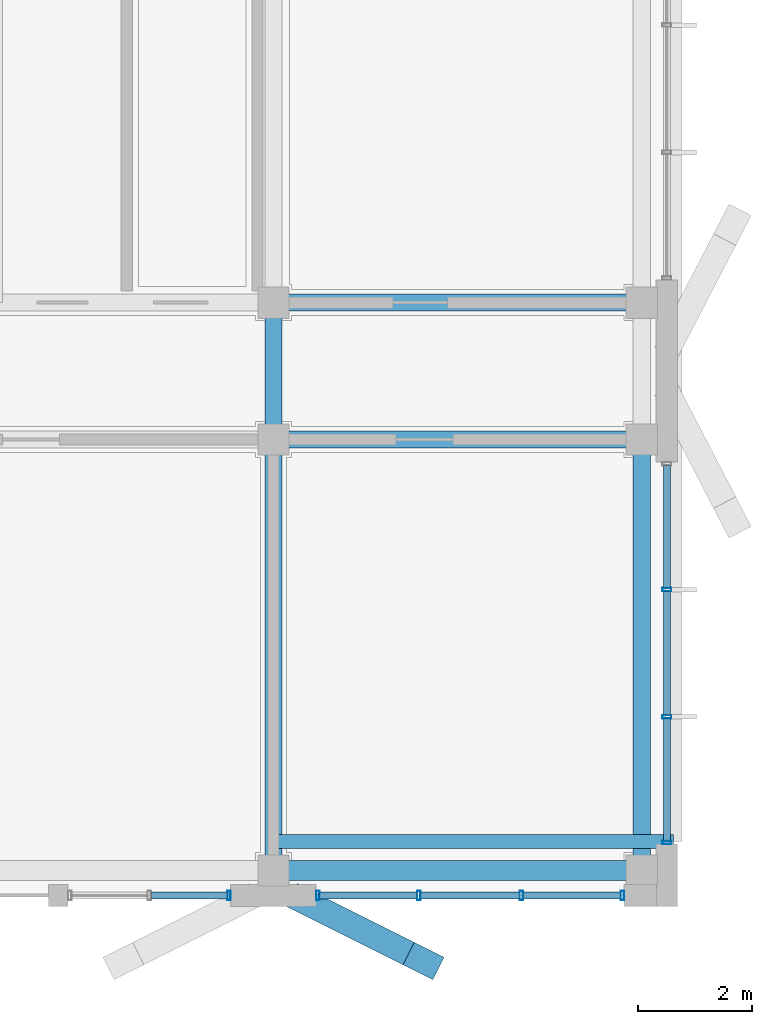
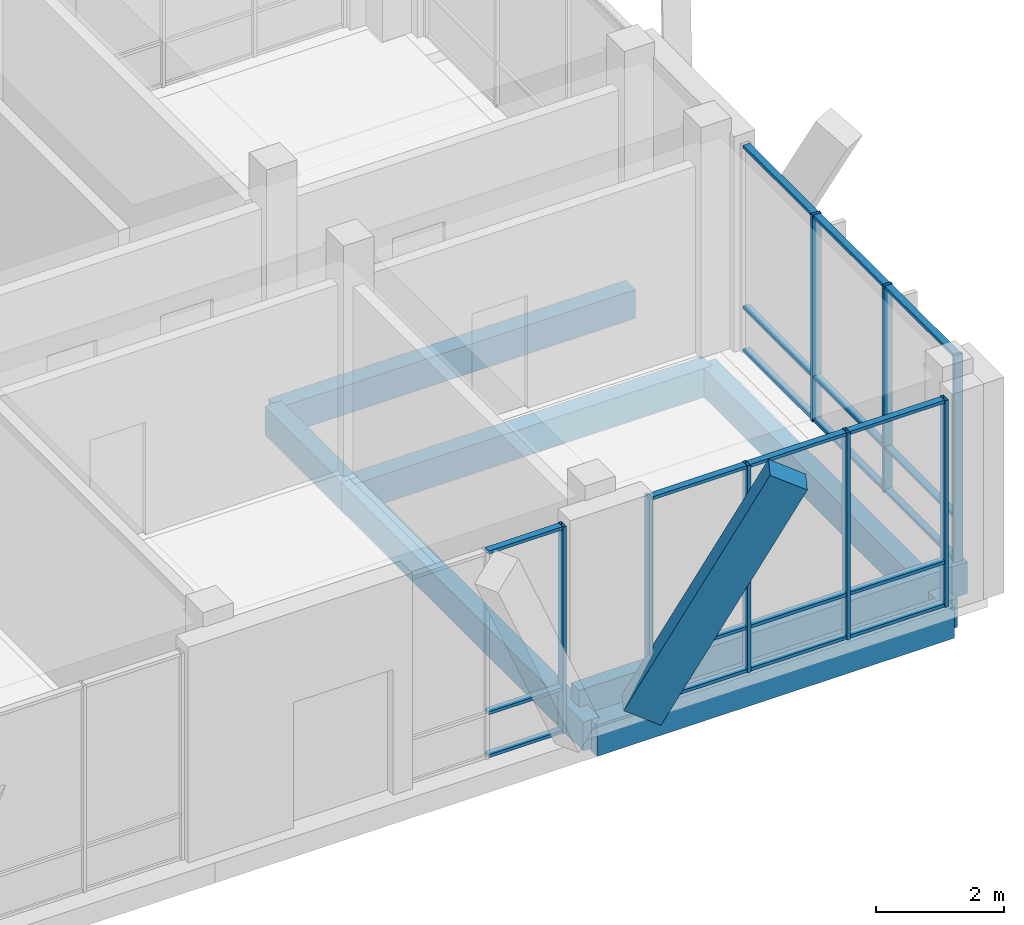
# One storey, part 144 of 233: 30 members, 7 beams, 3 elements without a shape of their own.
"""IFC4 building model written with IfcOpenShell, lengths in metres."""

from ifc_helpers import new_model, si_unit, direction, frame, origin, origin_2d, place, context, subcontext, project, spatial, rectangle, hollow_rectangle, extrude, material, material_profile, profile_set, type_object, element, aggregate, save


model = new_model("IFC4")

# Units and contexts
model_context = context("Model", 3, precision=1e-05, world=origin(), true_north=direction((0.0, 1.0)))
body_context = subcontext(model_context, "Body", "Model", "MODEL_VIEW")
ifc_project = project(units=[si_unit("LENGTHUNIT", "METRE"), si_unit("AREAUNIT", "SQUARE_METRE"), si_unit("VOLUMEUNIT", "CUBIC_METRE"), si_unit("PLANEANGLEUNIT", "RADIAN"), si_unit("MASSUNIT", "GRAM", prefix="KILO")], contexts=[model_context])

# Site, building, storey
site_placement = place(None, origin())
site = spatial("IfcSite", under=ifc_project, at=site_placement, CompositionType="ELEMENT")
building_placement = place(site_placement, origin())
building = spatial("IfcBuilding", under=site, at=building_placement, Name="Zavelmont Quarter", CompositionType="ELEMENT")
storey_placement = place(building_placement, origin())
storey = spatial("IfcBuildingStorey", under=building, at=storey_placement, Name="L00", CompositionType="ELEMENT", Elevation=0.0)

# Beams
ifc_material_1 = material(Name="Concrete C35/45", Category="concrete")
ifc_material_profile_1 = material_profile(ifc_material_1, rectangle(XDim=0.35009765625, YDim=0.60009765625, at=origin_2d()), Name="RC350X600")
ifc_profile_set_1 = profile_set([ifc_material_profile_1], Name="Concrete C35/45")
beam_type_1 = type_object("IfcBeamType", Name="BM01", PredefinedType="SPANDREL", material=ifc_profile_set_1)
beam_1_placement = place(storey_placement, frame((161.10009765625, 0.43994140625, -0.6201171875), z_axis=(1.0, 0.0, 0.0), x_axis=(0.0, 1.0, 0.0)))
element("IfcBeam", 1, at=beam_1_placement, inside=storey, type_object=beam_type_1, Name="L00 beam BM01 24/A to 25/A", PredefinedType="SPANDREL", context=body_context, shape_type="SweptSolid", body=[
    extrude(rectangle(XDim=0.35009765625, YDim=0.60009765625, at=origin_2d()), origin(), (0.0, 0.0, 1.0), 6.4599609375),
])
ifc_material_profile_2 = material_profile(ifc_material_1, rectangle(XDim=0.300048828125, YDim=0.550048828125, at=origin_2d()), Name="RC300X550")
ifc_profile_set_2 = profile_set([ifc_material_profile_2], Name="Concrete C35/45")
beam_type_2 = type_object("IfcBeamType", Name="BM02", PredefinedType="SPANDREL", material=ifc_profile_set_2)
for number, where, z_axis, x_axis, name in (
    (2, (161.10009765625, 8.0, -0.594970703125), (1.0, 0.0, 0.0), (0.0, 1.0, 0.0), "L00 beam BM02 24/B to 25/B"),
    (3, (161.10009765625, 10.39990234375, -0.594970703125), (1.0, 0.0, 0.0), (0.0, 1.0, 0.0), "L00 beam BM02 24/C to 25/C"),
):
    element("IfcBeam", number, at=place(storey_placement, frame(where, z_axis=z_axis, x_axis=x_axis)), inside=storey, type_object=beam_type_2, Name=name, PredefinedType="SPANDREL", context=body_context, shape_type="SweptSolid", body=[
        extrude(rectangle(XDim=0.300048828125, YDim=0.550048828125, at=origin_2d()), origin(), (0.0, 0.0, 1.0), 6.4599609375),
    ])
beam_2_placement = place(storey_placement, frame((161.10009765625, 0.43994140625, -0.594970703125), z_axis=(0.0, 1.0, 0.0), x_axis=(-1.0, 0.0, 0.0)))
element("IfcBeam", 4, at=beam_2_placement, inside=storey, type_object=beam_type_2, Name="L00 beam BM02 24/A to 24/B", PredefinedType="SPANDREL", context=body_context, shape_type="SweptSolid", body=[
    extrude(rectangle(XDim=0.300048828125, YDim=0.550048828125, at=origin_2d()), origin(), (0.0, 0.0, 1.0), 7.56005859375),
])
beam_3_placement = place(storey_placement, frame((161.10009765625, 8.0, -0.594970703125), z_axis=(0.0, 1.0, 0.0), x_axis=(-1.0, 0.0, 0.0)))
element("IfcBeam", 5, at=beam_3_placement, inside=storey, type_object=beam_type_2, Name="L00 beam BM02 24/B to 24/C", PredefinedType="SPANDREL", context=body_context, shape_type="SweptSolid", body=[
    extrude(rectangle(XDim=0.300048828125, YDim=0.550048828125, at=origin_2d()), origin(), (0.0, 0.0, 1.0), 2.39990234375),
])
beam_4_placement = place(storey_placement, frame((167.56005859375, 0.43994140625, -0.594970703125), z_axis=(0.0, 1.0, 0.0), x_axis=(-1.0, 0.0, 0.0)))
element("IfcBeam", 6, at=beam_4_placement, inside=storey, type_object=beam_type_2, Name="L00 beam BM02 25/A to 25/B", PredefinedType="SPANDREL", context=body_context, shape_type="SweptSolid", body=[
    extrude(rectangle(XDim=0.300048828125, YDim=0.550048828125, at=origin_2d()), origin(), (0.0, 0.0, 1.0), 7.56005859375),
])
ifc_material_2 = material(Name="Concrete C40/50", Category="concrete")
ifc_material_profile_3 = material_profile(ifc_material_2, rectangle(XDim=0.25, YDim=0.60009765625, at=origin_2d()), Name="RC250X600")
ifc_profile_set_3 = profile_set([ifc_material_profile_3], Name="Concrete C40/50")
beam_type_3 = type_object("IfcBeamType", Name="BM18", PredefinedType="BEAM", material=ifc_profile_set_3)
beam_5_placement = place(storey_placement, frame((161.10009765625, 0.949951171875, -0.300048828125), z_axis=(1.0, 0.0, 0.0), x_axis=(0.0, 1.0, 0.0)))
element("IfcBeam", 7, at=beam_5_placement, inside=storey, type_object=beam_type_3, Name="L00 beam BM18 24/A to 25/A", PredefinedType="BEAM", context=body_context, shape_type="SweptSolid", body=[
    extrude(rectangle(XDim=0.25, YDim=0.60009765625, at=origin_2d()), origin(), (0.0, 0.0, 1.0), 7.02001953125),
])

# Curtain wall, member
ifc_material_3 = material(Name="Thermally broken aluminium and double low-E safety glazing", Category="aluminium")
curtain_wall_type_1 = type_object("IfcCurtainWallType", Name="CW-285X395", PredefinedType="NOTDEFINED", material=ifc_material_3)
curtain_wall_1_placement = place(storey_placement, origin())
curtain_wall_1 = element("IfcCurtainWall", 8, at=curtain_wall_1_placement, inside=storey, type_object=curtain_wall_type_1, Name="L00 unitised curtain wall CW-285X395", PredefinedType="NOTDEFINED")
ifc_material_4 = material(Name="Powder-coated aluminium EN AW-6063-T6", Category="aluminium")
ifc_material_profile_4 = material_profile(ifc_material_4, hollow_rectangle(XDim=0.06005859375, YDim=0.159912109375, WallThickness=0.00390625, at=origin_2d()), Name="CWM60X160")
ifc_profile_set_4 = profile_set([ifc_material_profile_4], Name="Powder-coated aluminium EN AW-6063-T6")
member_type_1 = type_object("IfcMemberType", Name="CWM01", PredefinedType="MULLION", material=ifc_profile_set_4)
member_1_placement = place(storey_placement, frame((160.320068359375, 0.0, 0.0), z_axis=(0.0, 0.0, 1.0), x_axis=(1.0, 0.0, 0.0)))
member_1 = element("IfcMember", 9, at=member_1_placement, type_object=member_type_1, Name="CW-285X395 mullion 3", PredefinedType="MULLION", context=body_context, shape_type="SweptSolid", body=[
    extrude(hollow_rectangle(XDim=0.06005859375, YDim=0.159912109375, WallThickness=0.00390625, at=origin_2d()), origin(), (0.0, 0.0, 1.0), 3.949951171875),
])

# Curtain wall, members
curtain_wall_type_2 = type_object("IfcCurtainWallType", Name="CW-540X395", PredefinedType="NOTDEFINED", material=ifc_material_3)
curtain_wall_2_placement = place(storey_placement, origin())
curtain_wall_2 = element("IfcCurtainWall", 10, at=curtain_wall_2_placement, inside=storey, type_object=curtain_wall_type_2, Name="L00 unitised curtain wall CW-540X395", PredefinedType="NOTDEFINED")
member_2_placement = place(storey_placement, frame((161.8798828125, 0.0, 0.0), z_axis=(0.0, 0.0, 1.0), x_axis=(1.0, 0.0, 0.0)))
member_2 = element("IfcMember", 11, at=member_2_placement, type_object=member_type_1, Name="CW-540X395 mullion 1", PredefinedType="MULLION", context=body_context, shape_type="SweptSolid", body=[
    extrude(hollow_rectangle(XDim=0.06005859375, YDim=0.159912109375, WallThickness=0.00390625, at=origin_2d()), origin(), (0.0, 0.0, 1.0), 3.949951171875),
])
member_3_placement = place(storey_placement, frame((163.64990234375, 0.0, 0.0), z_axis=(0.0, 0.0, 1.0), x_axis=(1.0, 0.0, 0.0)))
member_3 = element("IfcMember", 12, at=member_3_placement, type_object=member_type_1, Name="CW-540X395 mullion 2", PredefinedType="MULLION", context=body_context, shape_type="SweptSolid", body=[
    extrude(hollow_rectangle(XDim=0.06005859375, YDim=0.159912109375, WallThickness=0.00390625, at=origin_2d()), origin(), (0.0, 0.0, 1.0), 3.949951171875),
])
member_4_placement = place(storey_placement, frame((165.449951171875, 0.0, 0.0), z_axis=(0.0, 0.0, 1.0), x_axis=(1.0, 0.0, 0.0)))
member_4 = element("IfcMember", 13, at=member_4_placement, type_object=member_type_1, Name="CW-540X395 mullion 3", PredefinedType="MULLION", context=body_context, shape_type="SweptSolid", body=[
    extrude(hollow_rectangle(XDim=0.06005859375, YDim=0.159912109375, WallThickness=0.00390625, at=origin_2d()), origin(), (0.0, 0.0, 1.0), 3.949951171875),
])
member_5_placement = place(storey_placement, frame((167.219970703125, 0.0, 0.0), z_axis=(0.0, 0.0, 1.0), x_axis=(1.0, 0.0, 0.0)))
member_5 = element("IfcMember", 14, at=member_5_placement, type_object=member_type_1, Name="CW-540X395 mullion 4", PredefinedType="MULLION", context=body_context, shape_type="SweptSolid", body=[
    extrude(hollow_rectangle(XDim=0.06005859375, YDim=0.159912109375, WallThickness=0.00390625, at=origin_2d()), origin(), (0.0, 0.0, 1.0), 3.949951171875),
])

curtain_wall_type_3 = type_object("IfcCurtainWallType", Name="CW-670X395", PredefinedType="NOTDEFINED", material=ifc_material_3)
curtain_wall_3_placement = place(storey_placement, origin())
curtain_wall_3 = element("IfcCurtainWall", 15, at=curtain_wall_3_placement, inside=storey, type_object=curtain_wall_type_3, Name="L00 unitised curtain wall CW-670X395", PredefinedType="NOTDEFINED")
member_6_placement = place(storey_placement, frame((168.0, 0.929931640625, 0.0), z_axis=(0.0, 0.0, 1.0), x_axis=(0.0, 1.0, 0.0)))
member_6 = element("IfcMember", 16, at=member_6_placement, type_object=member_type_1, Name="CW-670X395 mullion 1", PredefinedType="MULLION", context=body_context, shape_type="SweptSolid", body=[
    extrude(hollow_rectangle(XDim=0.06005859375, YDim=0.159912109375, WallThickness=0.00390625, at=origin_2d()), origin(), (0.0, 0.0, 1.0), 3.949951171875),
])
member_7_placement = place(storey_placement, frame((168.0, 3.13330078125, 0.0), z_axis=(0.0, 0.0, 1.0), x_axis=(0.0, 1.0, 0.0)))
member_7 = element("IfcMember", 17, at=member_7_placement, type_object=member_type_1, Name="CW-670X395 mullion 2", PredefinedType="MULLION", context=body_context, shape_type="SweptSolid", body=[
    extrude(hollow_rectangle(XDim=0.06005859375, YDim=0.159912109375, WallThickness=0.00390625, at=origin_2d()), origin(), (0.0, 0.0, 1.0), 3.949951171875),
])
member_8_placement = place(storey_placement, frame((168.0, 5.36669921875, 0.0), z_axis=(0.0, 0.0, 1.0), x_axis=(0.0, 1.0, 0.0)))
member_8 = element("IfcMember", 18, at=member_8_placement, type_object=member_type_1, Name="CW-670X395 mullion 3", PredefinedType="MULLION", context=body_context, shape_type="SweptSolid", body=[
    extrude(hollow_rectangle(XDim=0.06005859375, YDim=0.159912109375, WallThickness=0.00390625, at=origin_2d()), origin(), (0.0, 0.0, 1.0), 3.949951171875),
])

# Member
ifc_material_profile_5 = material_profile(ifc_material_4, hollow_rectangle(XDim=0.1201171875, YDim=0.06005859375, WallThickness=0.00390625, at=origin_2d()), Name="CWT60X120")
ifc_profile_set_5 = profile_set([ifc_material_profile_5], Name="Powder-coated aluminium EN AW-6063-T6")
member_type_2 = type_object("IfcMemberType", Name="CWT01", PredefinedType="NOTDEFINED", material=ifc_profile_set_5)
member_9_placement = place(storey_placement, frame((158.955078125, 0.0, 0.030029296875), z_axis=(1.0, 0.0, 0.0), x_axis=(0.0, 1.0, 0.0)))
member_9 = element("IfcMember", 19, at=member_9_placement, type_object=member_type_2, Name="CW-285X395 transom 2.1", ObjectType="TRANSOM", PredefinedType="USERDEFINED", context=body_context, shape_type="SweptSolid", body=[
    extrude(hollow_rectangle(XDim=0.1201171875, YDim=0.06005859375, WallThickness=0.00390625, at=origin_2d()), origin(), (0.0, 0.0, 1.0), 1.3349609375),
])

member_10_placement = place(storey_placement, frame((158.955078125, 0.0, 0.85009765625), z_axis=(1.0, 0.0, 0.0), x_axis=(0.0, 1.0, 0.0)))
member_10 = element("IfcMember", 20, at=member_10_placement, type_object=member_type_2, Name="CW-285X395 transom 2.2", ObjectType="TRANSOM", PredefinedType="USERDEFINED", context=body_context, shape_type="SweptSolid", body=[
    extrude(hollow_rectangle(XDim=0.1201171875, YDim=0.06005859375, WallThickness=0.00390625, at=origin_2d()), origin(), (0.0, 0.0, 1.0), 1.3349609375),
])

member_11_placement = place(storey_placement, frame((158.955078125, 0.0, 3.919921875), z_axis=(1.0, 0.0, 0.0), x_axis=(0.0, 1.0, 0.0)))
member_11 = element("IfcMember", 21, at=member_11_placement, type_object=member_type_2, Name="CW-285X395 transom 2.3", ObjectType="TRANSOM", PredefinedType="USERDEFINED", context=body_context, shape_type="SweptSolid", body=[
    extrude(hollow_rectangle(XDim=0.1201171875, YDim=0.06005859375, WallThickness=0.00390625, at=origin_2d()), origin(), (0.0, 0.0, 1.0), 1.3349609375),
])

aggregate(curtain_wall_1, [member_1, member_9, member_10, member_11])

member_12_placement = place(storey_placement, frame((161.909912109375, 0.0, 0.030029296875), z_axis=(1.0, 0.0, 0.0), x_axis=(0.0, 1.0, 0.0)))
member_12 = element("IfcMember", 22, at=member_12_placement, type_object=member_type_2, Name="CW-540X395 transom 1.1", ObjectType="TRANSOM", PredefinedType="USERDEFINED", context=body_context, shape_type="SweptSolid", body=[
    extrude(hollow_rectangle(XDim=0.1201171875, YDim=0.06005859375, WallThickness=0.00390625, at=origin_2d()), origin(), (0.0, 0.0, 1.0), 1.710205078125),
])

member_13_placement = place(storey_placement, frame((161.909912109375, 0.0, 0.85009765625), z_axis=(1.0, 0.0, 0.0), x_axis=(0.0, 1.0, 0.0)))
member_13 = element("IfcMember", 23, at=member_13_placement, type_object=member_type_2, Name="CW-540X395 transom 1.2", ObjectType="TRANSOM", PredefinedType="USERDEFINED", context=body_context, shape_type="SweptSolid", body=[
    extrude(hollow_rectangle(XDim=0.1201171875, YDim=0.06005859375, WallThickness=0.00390625, at=origin_2d()), origin(), (0.0, 0.0, 1.0), 1.710205078125),
])

member_14_placement = place(storey_placement, frame((161.909912109375, 0.0, 3.919921875), z_axis=(1.0, 0.0, 0.0), x_axis=(0.0, 1.0, 0.0)))
member_14 = element("IfcMember", 24, at=member_14_placement, type_object=member_type_2, Name="CW-540X395 transom 1.3", ObjectType="TRANSOM", PredefinedType="USERDEFINED", context=body_context, shape_type="SweptSolid", body=[
    extrude(hollow_rectangle(XDim=0.1201171875, YDim=0.06005859375, WallThickness=0.00390625, at=origin_2d()), origin(), (0.0, 0.0, 1.0), 1.710205078125),
])

member_15_placement = place(storey_placement, frame((163.679931640625, 0.0, 0.030029296875), z_axis=(1.0, 0.0, 0.0), x_axis=(0.0, 1.0, 0.0)))
member_15 = element("IfcMember", 25, at=member_15_placement, type_object=member_type_2, Name="CW-540X395 transom 2.1", ObjectType="TRANSOM", PredefinedType="USERDEFINED", context=body_context, shape_type="SweptSolid", body=[
    extrude(hollow_rectangle(XDim=0.1201171875, YDim=0.06005859375, WallThickness=0.00390625, at=origin_2d()), origin(), (0.0, 0.0, 1.0), 1.739990234375),
])

member_16_placement = place(storey_placement, frame((163.679931640625, 0.0, 0.85009765625), z_axis=(1.0, 0.0, 0.0), x_axis=(0.0, 1.0, 0.0)))
member_16 = element("IfcMember", 26, at=member_16_placement, type_object=member_type_2, Name="CW-540X395 transom 2.2", ObjectType="TRANSOM", PredefinedType="USERDEFINED", context=body_context, shape_type="SweptSolid", body=[
    extrude(hollow_rectangle(XDim=0.1201171875, YDim=0.06005859375, WallThickness=0.00390625, at=origin_2d()), origin(), (0.0, 0.0, 1.0), 1.739990234375),
])

member_17_placement = place(storey_placement, frame((163.679931640625, 0.0, 3.919921875), z_axis=(1.0, 0.0, 0.0), x_axis=(0.0, 1.0, 0.0)))
member_17 = element("IfcMember", 27, at=member_17_placement, type_object=member_type_2, Name="CW-540X395 transom 2.3", ObjectType="TRANSOM", PredefinedType="USERDEFINED", context=body_context, shape_type="SweptSolid", body=[
    extrude(hollow_rectangle(XDim=0.1201171875, YDim=0.06005859375, WallThickness=0.00390625, at=origin_2d()), origin(), (0.0, 0.0, 1.0), 1.739990234375),
])

member_18_placement = place(storey_placement, frame((165.47998046875, 0.0, 0.030029296875), z_axis=(1.0, 0.0, 0.0), x_axis=(0.0, 1.0, 0.0)))
member_18 = element("IfcMember", 28, at=member_18_placement, type_object=member_type_2, Name="CW-540X395 transom 3.1", ObjectType="TRANSOM", PredefinedType="USERDEFINED", context=body_context, shape_type="SweptSolid", body=[
    extrude(hollow_rectangle(XDim=0.1201171875, YDim=0.06005859375, WallThickness=0.00390625, at=origin_2d()), origin(), (0.0, 0.0, 1.0), 1.7099609375),
])

member_19_placement = place(storey_placement, frame((165.47998046875, 0.0, 0.85009765625), z_axis=(1.0, 0.0, 0.0), x_axis=(0.0, 1.0, 0.0)))
member_19 = element("IfcMember", 29, at=member_19_placement, type_object=member_type_2, Name="CW-540X395 transom 3.2", ObjectType="TRANSOM", PredefinedType="USERDEFINED", context=body_context, shape_type="SweptSolid", body=[
    extrude(hollow_rectangle(XDim=0.1201171875, YDim=0.06005859375, WallThickness=0.00390625, at=origin_2d()), origin(), (0.0, 0.0, 1.0), 1.7099609375),
])

member_20_placement = place(storey_placement, frame((165.47998046875, 0.0, 3.919921875), z_axis=(1.0, 0.0, 0.0), x_axis=(0.0, 1.0, 0.0)))
member_20 = element("IfcMember", 30, at=member_20_placement, type_object=member_type_2, Name="CW-540X395 transom 3.3", ObjectType="TRANSOM", PredefinedType="USERDEFINED", context=body_context, shape_type="SweptSolid", body=[
    extrude(hollow_rectangle(XDim=0.1201171875, YDim=0.06005859375, WallThickness=0.00390625, at=origin_2d()), origin(), (0.0, 0.0, 1.0), 1.7099609375),
])

aggregate(curtain_wall_2, [member_2, member_3, member_4, member_5, member_12, member_13, member_14, member_15, member_16, member_17, member_18, member_19, member_20])

member_21_placement = place(storey_placement, frame((168.0, 0.9599609375, 0.030029296875), z_axis=(0.0, 1.0, 0.0), x_axis=(-1.0, 0.0, 0.0)))
member_21 = element("IfcMember", 31, at=member_21_placement, type_object=member_type_2, Name="CW-670X395 transom 1.1", ObjectType="TRANSOM", PredefinedType="USERDEFINED", context=body_context, shape_type="SweptSolid", body=[
    extrude(hollow_rectangle(XDim=0.1201171875, YDim=0.06005859375, WallThickness=0.00390625, at=origin_2d()), origin(), (0.0, 0.0, 1.0), 2.143310546875),
])

member_22_placement = place(storey_placement, frame((168.0, 0.9599609375, 0.85009765625), z_axis=(0.0, 1.0, 0.0), x_axis=(-1.0, 0.0, 0.0)))
member_22 = element("IfcMember", 32, at=member_22_placement, type_object=member_type_2, Name="CW-670X395 transom 1.2", ObjectType="TRANSOM", PredefinedType="USERDEFINED", context=body_context, shape_type="SweptSolid", body=[
    extrude(hollow_rectangle(XDim=0.1201171875, YDim=0.06005859375, WallThickness=0.00390625, at=origin_2d()), origin(), (0.0, 0.0, 1.0), 2.143310546875),
])

member_23_placement = place(storey_placement, frame((168.0, 0.9599609375, 3.919921875), z_axis=(0.0, 1.0, 0.0), x_axis=(-1.0, 0.0, 0.0)))
member_23 = element("IfcMember", 33, at=member_23_placement, type_object=member_type_2, Name="CW-670X395 transom 1.3", ObjectType="TRANSOM", PredefinedType="USERDEFINED", context=body_context, shape_type="SweptSolid", body=[
    extrude(hollow_rectangle(XDim=0.1201171875, YDim=0.06005859375, WallThickness=0.00390625, at=origin_2d()), origin(), (0.0, 0.0, 1.0), 2.143310546875),
])

member_24_placement = place(storey_placement, frame((168.0, 3.163330078125, 0.030029296875), z_axis=(0.0, 1.0, 0.0), x_axis=(-1.0, 0.0, 0.0)))
member_24 = element("IfcMember", 34, at=member_24_placement, type_object=member_type_2, Name="CW-670X395 transom 2.1", ObjectType="TRANSOM", PredefinedType="USERDEFINED", context=body_context, shape_type="SweptSolid", body=[
    extrude(hollow_rectangle(XDim=0.1201171875, YDim=0.06005859375, WallThickness=0.00390625, at=origin_2d()), origin(), (0.0, 0.0, 1.0), 2.17333984375),
])

member_25_placement = place(storey_placement, frame((168.0, 3.163330078125, 0.85009765625), z_axis=(0.0, 1.0, 0.0), x_axis=(-1.0, 0.0, 0.0)))
member_25 = element("IfcMember", 35, at=member_25_placement, type_object=member_type_2, Name="CW-670X395 transom 2.2", ObjectType="TRANSOM", PredefinedType="USERDEFINED", context=body_context, shape_type="SweptSolid", body=[
    extrude(hollow_rectangle(XDim=0.1201171875, YDim=0.06005859375, WallThickness=0.00390625, at=origin_2d()), origin(), (0.0, 0.0, 1.0), 2.17333984375),
])

member_26_placement = place(storey_placement, frame((168.0, 3.163330078125, 3.919921875), z_axis=(0.0, 1.0, 0.0), x_axis=(-1.0, 0.0, 0.0)))
member_26 = element("IfcMember", 36, at=member_26_placement, type_object=member_type_2, Name="CW-670X395 transom 2.3", ObjectType="TRANSOM", PredefinedType="USERDEFINED", context=body_context, shape_type="SweptSolid", body=[
    extrude(hollow_rectangle(XDim=0.1201171875, YDim=0.06005859375, WallThickness=0.00390625, at=origin_2d()), origin(), (0.0, 0.0, 1.0), 2.17333984375),
])

member_27_placement = place(storey_placement, frame((168.0, 5.396728515625, 0.030029296875), z_axis=(0.0, 1.0, 0.0), x_axis=(-1.0, 0.0, 0.0)))
member_27 = element("IfcMember", 37, at=member_27_placement, type_object=member_type_2, Name="CW-670X395 transom 3.1", ObjectType="TRANSOM", PredefinedType="USERDEFINED", context=body_context, shape_type="SweptSolid", body=[
    extrude(hollow_rectangle(XDim=0.1201171875, YDim=0.06005859375, WallThickness=0.00390625, at=origin_2d()), origin(), (0.0, 0.0, 1.0), 2.143310546875),
])

member_28_placement = place(storey_placement, frame((168.0, 5.396728515625, 0.85009765625), z_axis=(0.0, 1.0, 0.0), x_axis=(-1.0, 0.0, 0.0)))
member_28 = element("IfcMember", 38, at=member_28_placement, type_object=member_type_2, Name="CW-670X395 transom 3.2", ObjectType="TRANSOM", PredefinedType="USERDEFINED", context=body_context, shape_type="SweptSolid", body=[
    extrude(hollow_rectangle(XDim=0.1201171875, YDim=0.06005859375, WallThickness=0.00390625, at=origin_2d()), origin(), (0.0, 0.0, 1.0), 2.143310546875),
])

member_29_placement = place(storey_placement, frame((168.0, 5.396728515625, 3.919921875), z_axis=(0.0, 1.0, 0.0), x_axis=(-1.0, 0.0, 0.0)))
member_29 = element("IfcMember", 39, at=member_29_placement, type_object=member_type_2, Name="CW-670X395 transom 3.3", ObjectType="TRANSOM", PredefinedType="USERDEFINED", context=body_context, shape_type="SweptSolid", body=[
    extrude(hollow_rectangle(XDim=0.1201171875, YDim=0.06005859375, WallThickness=0.00390625, at=origin_2d()), origin(), (0.0, 0.0, 1.0), 2.143310546875),
])

aggregate(curtain_wall_3, [member_6, member_7, member_8, member_21, member_22, member_23, member_24, member_25, member_26, member_27, member_28, member_29])

ifc_material_5 = material(Name="White architectural precast concrete C40/50", Category="concrete")
ifc_material_profile_6 = material_profile(ifc_material_5, rectangle(XDim=0.43994140625, YDim=0.659912109375, at=origin_2d()), Name="PCR320X480")
ifc_profile_set_6 = profile_set([ifc_material_profile_6], Name="White architectural precast concrete C40/50")
member_type_3 = type_object("IfcMemberType", Name="VR01M", PredefinedType="CHORD", material=ifc_profile_set_6)
member_30_placement = place(storey_placement, frame((161.679931640625, -0.1201171875, 0.0), z_axis=(0.413591220737, -0.207484273201, 0.88650582542), x_axis=(0.448403840089, 0.893831078109, 0.0)))
element("IfcMember", 40, at=member_30_placement, inside=storey, type_object=member_type_3, Name="L00 member VR01M 24/A to 24/A", PredefinedType="CHORD", context=body_context, shape_type="SweptSolid", body=[
    extrude(rectangle(XDim=0.43994140625, YDim=0.659912109375, at=origin_2d()), origin(), (0.0, 0.0, 1.0), 4.963134765625),
])

save(model, "model.ifc")
